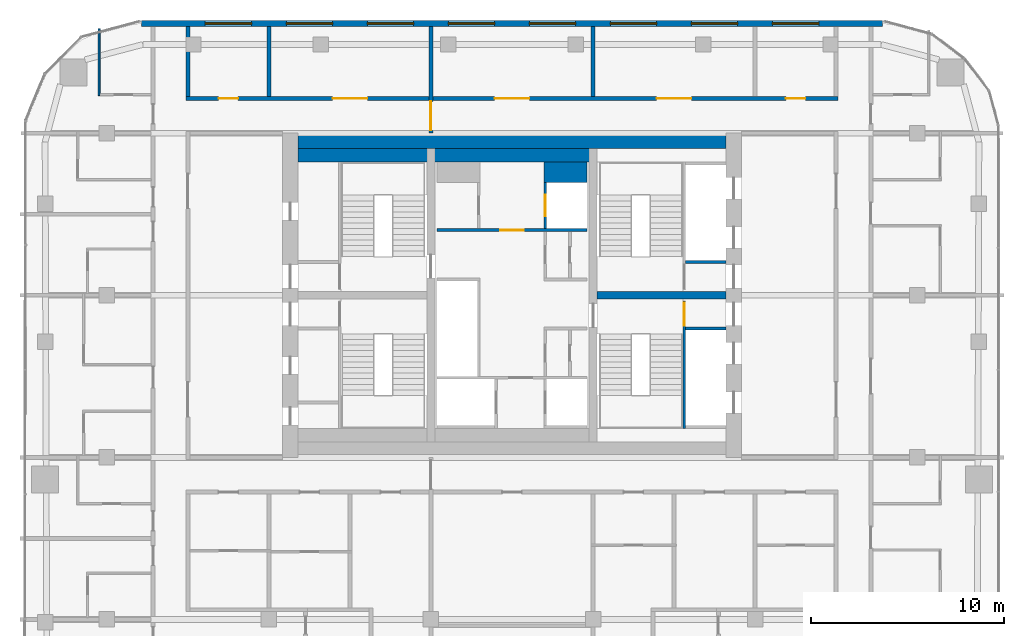
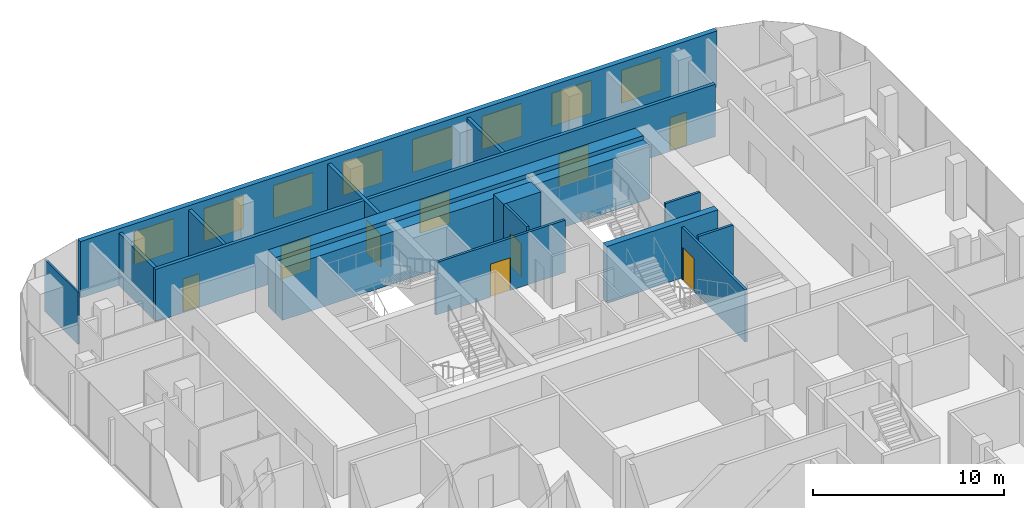
# One storey, part 19 of 22: 16 walls, 9 doors, 8 windows, 17 openings.
"""IFC4 building model written with IfcOpenShell, lengths in metres."""

from ifc_helpers import new_model, si_unit, direction, frame, frame_2d, origin, place, context, subcontext, project, spatial, rectangle, extrude, material, layer, layer_set, type_object, element, fill, save


model = new_model("IFC4")

# Units and contexts
model_context = context("Model", 3, precision=1e-05, world=origin(), true_north=direction((0.0, 1.0)))
body_context = subcontext(model_context, "Body", "Model", "MODEL_VIEW")
ifc_project = project(units=[si_unit("LENGTHUNIT", "METRE"), si_unit("AREAUNIT", "SQUARE_METRE"), si_unit("VOLUMEUNIT", "CUBIC_METRE"), si_unit("PLANEANGLEUNIT", "RADIAN"), si_unit("MASSUNIT", "GRAM", prefix="KILO")], contexts=[model_context])

# Site, building, storey
site_placement = place(None, origin())
site = spatial("IfcSite", under=ifc_project, at=site_placement, CompositionType="ELEMENT")
building_placement = place(site_placement, origin())
building = spatial("IfcBuilding", under=site, at=building_placement, Name="Marenta Gate Hotel Tower", CompositionType="ELEMENT")
storey_placement = place(building_placement, frame((0.0, 0.0, 223.699951171875)))
storey = spatial("IfcBuildingStorey", under=building, at=storey_placement, Name="L52", CompositionType="ELEMENT", Elevation=223.699951171875)

# Wall, openings, windows
ifc_material_1 = material(Name="Concrete C40 board-marked", Category="concrete")
ifc_layer_1 = layer(ifc_material_1, 0.300048828125)
ifc_layer_set_1 = layer_set([ifc_layer_1], Name="Concrete C40 board-marked")
wall_type_1 = type_object("IfcWallType", Name="Board-marked concrete wall 300 mm", PredefinedType="NOTDEFINED", material=ifc_layer_set_1)
wall_1_placement = place(storey_placement, frame((19.205810546875, 22.489990234375, 0.0), z_axis=(0.0, 0.0, 1.0), x_axis=(-1.0, 0.0, 0.0)))
wall_1 = element("IfcWall", 1, at=wall_1_placement, inside=storey, type_object=wall_type_1, Name="L52-CLD-N00", PredefinedType="NOTDEFINED", context=body_context, shape_type="SweptSolid", body=[
    extrude(rectangle(XDim=38.41162109375, YDim=0.300048828125, at=frame_2d((19.205810546875, 0.0))), origin(), (0.0, 0.0, 1.0), 3.60009765625),
])
opening_1_placement = place(wall_1_placement, frame((3.305908203125, 0.0, 0.89990234375)))
opening_1 = element("IfcOpeningElement", 2, at=opening_1_placement, cuts=wall_1, Name="Opening W1", PredefinedType="OPENING", context=body_context, shape_type="SweptSolid", body=[
    extrude(rectangle(XDim=2.39990234375, YDim=2.10009765625, at=frame_2d((1.199951171875, 1.050048828125))), frame((0.0, 0.14990234375, 0.0), z_axis=(0.0, -1.0, 0.0), x_axis=(1.0, 0.0, 0.0)), (0.0, 0.0, 1.0), 0.300048828125),
])
opening_2_placement = place(wall_1_placement, frame((7.505859375, 0.0, 0.89990234375)))
opening_2 = element("IfcOpeningElement", 3, at=opening_2_placement, cuts=wall_1, Name="Opening W1", PredefinedType="OPENING", context=body_context, shape_type="SweptSolid", body=[
    extrude(rectangle(XDim=2.39990234375, YDim=2.10009765625, at=frame_2d((1.199951171875, 1.050048828125))), frame((0.0, 0.14990234375, 0.0), z_axis=(0.0, -1.0, 0.0), x_axis=(1.0, 0.0, 0.0)), (0.0, 0.0, 1.0), 0.300048828125),
])
opening_3_placement = place(wall_1_placement, frame((11.705810546875, 0.0, 0.89990234375)))
opening_3 = element("IfcOpeningElement", 4, at=opening_3_placement, cuts=wall_1, Name="Opening W1", PredefinedType="OPENING", context=body_context, shape_type="SweptSolid", body=[
    extrude(rectangle(XDim=2.39990234375, YDim=2.10009765625, at=frame_2d((1.199951171875, 1.050048828125))), frame((0.0, 0.14990234375, 0.0), z_axis=(0.0, -1.0, 0.0), x_axis=(1.0, 0.0, 0.0)), (0.0, 0.0, 1.0), 0.300048828125),
])
opening_4_placement = place(wall_1_placement, frame((15.906005859375, 0.0, 0.89990234375)))
opening_4 = element("IfcOpeningElement", 5, at=opening_4_placement, cuts=wall_1, Name="Opening W1", PredefinedType="OPENING", context=body_context, shape_type="SweptSolid", body=[
    extrude(rectangle(XDim=2.39990234375, YDim=2.10009765625, at=frame_2d((1.199951171875, 1.050048828125))), frame((0.0, 0.14990234375, 0.0), z_axis=(0.0, -1.0, 0.0), x_axis=(1.0, 0.0, 0.0)), (0.0, 0.0, 1.0), 0.300048828125),
])
opening_5_placement = place(wall_1_placement, frame((20.10595703125, 0.0, 0.89990234375)))
opening_5 = element("IfcOpeningElement", 6, at=opening_5_placement, cuts=wall_1, Name="Opening W1", PredefinedType="OPENING", context=body_context, shape_type="SweptSolid", body=[
    extrude(rectangle(XDim=2.39990234375, YDim=2.10009765625, at=frame_2d((1.199951171875, 1.050048828125))), frame((0.0, 0.14990234375, 0.0), z_axis=(0.0, -1.0, 0.0), x_axis=(1.0, 0.0, 0.0)), (0.0, 0.0, 1.0), 0.300048828125),
])
opening_6_placement = place(wall_1_placement, frame((24.305908203125, 0.0, 0.89990234375)))
opening_6 = element("IfcOpeningElement", 7, at=opening_6_placement, cuts=wall_1, Name="Opening W1", PredefinedType="OPENING", context=body_context, shape_type="SweptSolid", body=[
    extrude(rectangle(XDim=2.39990234375, YDim=2.10009765625, at=frame_2d((1.199951171875, 1.050048828125))), frame((0.0, 0.14990234375, 0.0), z_axis=(0.0, -1.0, 0.0), x_axis=(1.0, 0.0, 0.0)), (0.0, 0.0, 1.0), 0.300048828125),
])
opening_7_placement = place(wall_1_placement, frame((28.505859375, 0.0, 0.89990234375)))
opening_7 = element("IfcOpeningElement", 8, at=opening_7_placement, cuts=wall_1, Name="Opening W1", PredefinedType="OPENING", context=body_context, shape_type="SweptSolid", body=[
    extrude(rectangle(XDim=2.39990234375, YDim=2.10009765625, at=frame_2d((1.199951171875, 1.050048828125))), frame((0.0, 0.14990234375, 0.0), z_axis=(0.0, -1.0, 0.0), x_axis=(1.0, 0.0, 0.0)), (0.0, 0.0, 1.0), 0.300048828125),
])
opening_8_placement = place(wall_1_placement, frame((32.705810546875, 0.0, 0.89990234375)))
opening_8 = element("IfcOpeningElement", 9, at=opening_8_placement, cuts=wall_1, Name="Opening W1", PredefinedType="OPENING", context=body_context, shape_type="SweptSolid", body=[
    extrude(rectangle(XDim=2.39990234375, YDim=2.10009765625, at=frame_2d((1.199951171875, 1.050048828125))), frame((0.0, 0.14990234375, 0.0), z_axis=(0.0, -1.0, 0.0), x_axis=(1.0, 0.0, 0.0)), (0.0, 0.0, 1.0), 0.300048828125),
])
ifc_material_2 = material(Name="Tinted insulated glass in bronze anodised frame", Category="glass")
window_type = type_object("IfcWindowType", Name="Window W1 2400x2100 bronze frame", PartitioningType="SINGLE_PANEL", PredefinedType="WINDOW", material=ifc_material_2)
window_1_placement = place(opening_1_placement, origin())
window_1 = element("IfcWindow", 10, at=window_1_placement, inside=storey, type_object=window_type, Name="Window W1", OverallHeight=2.10009765625, OverallWidth=2.39990234375, PartitioningType="SINGLE_PANEL", PredefinedType="WINDOW", context=body_context, shape_type="SweptSolid", body=[
    extrude(rectangle(XDim=2.39990234375, YDim=2.10009765625, at=frame_2d((1.199951171875, 1.050048828125))), frame((0.0, 0.030029296875, 0.0), z_axis=(0.0, -1.0, 0.0), x_axis=(1.0, 0.0, 0.0)), (0.0, 0.0, 1.0), 0.06005859375),
])
fill(opening_1, window_1)
window_2_placement = place(opening_2_placement, origin())
window_2 = element("IfcWindow", 11, at=window_2_placement, inside=storey, type_object=window_type, Name="Window W1", OverallHeight=2.10009765625, OverallWidth=2.39990234375, PartitioningType="SINGLE_PANEL", PredefinedType="WINDOW", context=body_context, shape_type="SweptSolid", body=[
    extrude(rectangle(XDim=2.39990234375, YDim=2.10009765625, at=frame_2d((1.199951171875, 1.050048828125))), frame((0.0, 0.030029296875, 0.0), z_axis=(0.0, -1.0, 0.0), x_axis=(1.0, 0.0, 0.0)), (0.0, 0.0, 1.0), 0.06005859375),
])
fill(opening_2, window_2)
window_3_placement = place(opening_3_placement, origin())
window_3 = element("IfcWindow", 12, at=window_3_placement, inside=storey, type_object=window_type, Name="Window W1", OverallHeight=2.10009765625, OverallWidth=2.39990234375, PartitioningType="SINGLE_PANEL", PredefinedType="WINDOW", context=body_context, shape_type="SweptSolid", body=[
    extrude(rectangle(XDim=2.39990234375, YDim=2.10009765625, at=frame_2d((1.199951171875, 1.050048828125))), frame((0.0, 0.030029296875, 0.0), z_axis=(0.0, -1.0, 0.0), x_axis=(1.0, 0.0, 0.0)), (0.0, 0.0, 1.0), 0.06005859375),
])
fill(opening_3, window_3)
window_4_placement = place(opening_4_placement, origin())
window_4 = element("IfcWindow", 13, at=window_4_placement, inside=storey, type_object=window_type, Name="Window W1", OverallHeight=2.10009765625, OverallWidth=2.39990234375, PartitioningType="SINGLE_PANEL", PredefinedType="WINDOW", context=body_context, shape_type="SweptSolid", body=[
    extrude(rectangle(XDim=2.39990234375, YDim=2.10009765625, at=frame_2d((1.199951171875, 1.050048828125))), frame((0.0, 0.030029296875, 0.0), z_axis=(0.0, -1.0, 0.0), x_axis=(1.0, 0.0, 0.0)), (0.0, 0.0, 1.0), 0.06005859375),
])
fill(opening_4, window_4)
window_5_placement = place(opening_5_placement, origin())
window_5 = element("IfcWindow", 14, at=window_5_placement, inside=storey, type_object=window_type, Name="Window W1", OverallHeight=2.10009765625, OverallWidth=2.39990234375, PartitioningType="SINGLE_PANEL", PredefinedType="WINDOW", context=body_context, shape_type="SweptSolid", body=[
    extrude(rectangle(XDim=2.39990234375, YDim=2.10009765625, at=frame_2d((1.199951171875, 1.050048828125))), frame((0.0, 0.030029296875, 0.0), z_axis=(0.0, -1.0, 0.0), x_axis=(1.0, 0.0, 0.0)), (0.0, 0.0, 1.0), 0.06005859375),
])
fill(opening_5, window_5)
window_6_placement = place(opening_6_placement, origin())
window_6 = element("IfcWindow", 15, at=window_6_placement, inside=storey, type_object=window_type, Name="Window W1", OverallHeight=2.10009765625, OverallWidth=2.39990234375, PartitioningType="SINGLE_PANEL", PredefinedType="WINDOW", context=body_context, shape_type="SweptSolid", body=[
    extrude(rectangle(XDim=2.39990234375, YDim=2.10009765625, at=frame_2d((1.199951171875, 1.050048828125))), frame((0.0, 0.030029296875, 0.0), z_axis=(0.0, -1.0, 0.0), x_axis=(1.0, 0.0, 0.0)), (0.0, 0.0, 1.0), 0.06005859375),
])
fill(opening_6, window_6)
window_7_placement = place(opening_7_placement, origin())
window_7 = element("IfcWindow", 16, at=window_7_placement, inside=storey, type_object=window_type, Name="Window W1", OverallHeight=2.10009765625, OverallWidth=2.39990234375, PartitioningType="SINGLE_PANEL", PredefinedType="WINDOW", context=body_context, shape_type="SweptSolid", body=[
    extrude(rectangle(XDim=2.39990234375, YDim=2.10009765625, at=frame_2d((1.199951171875, 1.050048828125))), frame((0.0, 0.030029296875, 0.0), z_axis=(0.0, -1.0, 0.0), x_axis=(1.0, 0.0, 0.0)), (0.0, 0.0, 1.0), 0.06005859375),
])
fill(opening_7, window_7)
window_8_placement = place(opening_8_placement, origin())
window_8 = element("IfcWindow", 17, at=window_8_placement, inside=storey, type_object=window_type, Name="Window W1", OverallHeight=2.10009765625, OverallWidth=2.39990234375, PartitioningType="SINGLE_PANEL", PredefinedType="WINDOW", context=body_context, shape_type="SweptSolid", body=[
    extrude(rectangle(XDim=2.39990234375, YDim=2.10009765625, at=frame_2d((1.199951171875, 1.050048828125))), frame((0.0, 0.030029296875, 0.0), z_axis=(0.0, -1.0, 0.0), x_axis=(1.0, 0.0, 0.0)), (0.0, 0.0, 1.0), 0.06005859375),
])
fill(opening_8, window_8)

# Wall, opening, door
ifc_material_3 = material(Name="Concrete blockwork", Category="masonry")
ifc_layer_2 = layer(ifc_material_3, 0.199951171875)
ifc_layer_set_2 = layer_set([ifc_layer_2], Name="Concrete blockwork")
wall_type_2 = type_object("IfcWallType", Name="Compartment wall 200 REI 180", PredefinedType="PARTITIONING", material=ifc_layer_set_2)
wall_2_placement = place(storey_placement, frame((-4.199951171875, 16.800048828125, 0.0), z_axis=(0.0, 0.0, 1.0), x_axis=(0.0, 1.0, 0.0)))
wall_2 = element("IfcWall", 18, at=wall_2_placement, inside=storey, type_object=wall_type_2, Name="L52-PTN-W083", PredefinedType="PARTITIONING", context=body_context, shape_type="SweptSolid", body=[
    extrude(rectangle(XDim=5.5400390625, YDim=0.199951171875, at=frame_2d((2.77001953125, 0.0))), origin(), (0.0, 0.0, 1.0), 3.340087890625),
])
opening_9_placement = place(wall_2_placement, frame((0.14990234375, 0.0, 0.0)))
opening_9 = element("IfcOpeningElement", 19, at=opening_9_placement, cuts=wall_2, Name="Opening G19-FD1", PredefinedType="OPENING", context=body_context, shape_type="SweptSolid", body=[
    extrude(rectangle(XDim=1.5, YDim=2.10009765625, at=frame_2d((0.75, 1.050048828125))), frame((0.0, 0.10009765625, 0.0), z_axis=(0.0, -1.0, 0.0), x_axis=(1.0, 0.0, 0.0)), (0.0, 0.0, 1.0), 0.199951171875),
])
ifc_material_4 = material(Name="Hollow steel door set", Category="steel")
door_type_1 = type_object("IfcDoorType", Name="Compartment fire door 1500x2100 EI 60", OperationType="DOUBLE_DOOR_DOUBLE_SWING", PredefinedType="DOOR", material=ifc_material_4)
door_1_placement = place(opening_9_placement, origin())
door_1 = element("IfcDoor", 20, at=door_1_placement, inside=storey, type_object=door_type_1, Name="L52-PD-FD01", OperationType="DOUBLE_DOOR_DOUBLE_SWING", OverallHeight=2.10009765625, OverallWidth=1.5, PredefinedType="DOOR", context=body_context, shape_type="SweptSolid", body=[
    extrude(rectangle(XDim=1.5, YDim=2.10009765625, at=frame_2d((0.75, 1.050048828125))), frame((0.0, 0.02490234375, 0.0), z_axis=(0.0, -1.0, 0.0), x_axis=(1.0, 0.0, 0.0)), (0.0, 0.0, 1.0), 0.050048828125),
])
fill(opening_9, door_1)

# Wall
ifc_material_5 = material(Name="Concrete C40", Category="concrete")
ifc_layer_3 = layer(ifc_material_5, 0.699951171875)
ifc_layer_set_3 = layer_set([ifc_layer_3], Name="Concrete C40")
wall_type_3 = type_object("IfcWallType", Name="Core lining wall 700 REI 180", PredefinedType="PARTITIONING", material=ifc_layer_set_3)
wall_3_placement = place(storey_placement, frame((-11.10009765625, 15.64990234375, 0.0), z_axis=(0.0, 0.0, 1.0), x_axis=(1.0, 0.0, 0.0)))
element("IfcWall", 21, at=wall_3_placement, inside=storey, type_object=wall_type_3, Name="L52-CP-LN-N", PredefinedType="PARTITIONING", context=body_context, shape_type="SweptSolid", body=[
    extrude(rectangle(XDim=22.2001953125, YDim=0.699951171875, at=frame_2d((11.10009765625, 0.0))), origin(), (0.0, 0.0, 1.0), 3.340087890625),
])

# Wall, opening, door
ifc_material_6 = material(Name="Concrete blockwork", Category="masonry")
ifc_layer_4 = layer(ifc_material_6, 0.14990234375)
ifc_layer_set_4 = layer_set([ifc_layer_4], Name="Concrete blockwork")
wall_type_4 = type_object("IfcWallType", Name="Core lobby partition 150 REI 180", PredefinedType="PARTITIONING", material=ifc_layer_set_4)
wall_4_placement = place(storey_placement, frame((-3.89990234375, 11.77490234375, 0.0), z_axis=(0.0, 0.0, 1.0), x_axis=(1.0, 0.0, 0.0)))
wall_4 = element("IfcWall", 22, at=wall_4_placement, inside=storey, type_object=wall_type_4, Name="L52-CP-CW-N", PredefinedType="PARTITIONING", context=body_context, shape_type="SweptSolid", body=[
    extrude(rectangle(XDim=7.7998046875, YDim=0.14990234375, at=frame_2d((3.89990234375, 0.0))), origin(), (0.0, 0.0, 1.0), 3.340087890625),
])
opening_10_placement = place(wall_4_placement, frame((3.300048828125, 0.0, 0.0)))
opening_10 = element("IfcOpeningElement", 23, at=opening_10_placement, cuts=wall_4, Name="Opening FD-FFN", PredefinedType="OPENING", context=body_context, shape_type="SweptSolid", body=[
    extrude(rectangle(XDim=1.199951171875, YDim=2.10009765625, at=frame_2d((0.60009765625, 1.050048828125))), frame((0.0, 0.074951171875, 0.0), z_axis=(0.0, -1.0, 0.0), x_axis=(1.0, 0.0, 0.0)), (0.0, 0.0, 1.0), 0.14990234375),
])
ifc_material_7 = material(Name="Steel", Category="steel")
door_type_2 = type_object("IfcDoorType", Name="Core lobby door 1200x2100 FD60", OperationType="SINGLE_SWING_LEFT", PredefinedType="DOOR", material=ifc_material_7)
door_2_placement = place(opening_10_placement, origin())
door_2 = element("IfcDoor", 24, at=door_2_placement, inside=storey, type_object=door_type_2, Name="FD-FFN", OperationType="SINGLE_SWING_LEFT", OverallHeight=2.10009765625, OverallWidth=1.199951171875, PredefinedType="DOOR", context=body_context, shape_type="SweptSolid", body=[
    extrude(rectangle(XDim=1.199951171875, YDim=2.10009765625, at=frame_2d((0.60009765625, 1.050048828125))), frame((0.0, 0.02490234375, 0.0), z_axis=(0.0, -1.0, 0.0), x_axis=(1.0, 0.0, 0.0)), (0.0, 0.0, 1.0), 0.050048828125),
])
fill(opening_10, door_2)

# Walls
ifc_material_8 = material(Name="Concrete C40", Category="concrete")
ifc_layer_5 = layer(ifc_material_8, 1.050048828125)
ifc_layer_set_5 = layer_set([ifc_layer_5], Name="Concrete C40")
wall_type_5 = type_object("IfcWallType", Name="Core shaft wall 1050 REI 180", PredefinedType="SHEAR", material=ifc_layer_set_5)
wall_5_placement = place(storey_placement, frame((1.64990234375, 14.77490234375, 0.0), z_axis=(0.0, 0.0, 1.0), x_axis=(1.0, 0.0, 0.0)))
element("IfcWall", 25, at=wall_5_placement, inside=storey, type_object=wall_type_5, Name="L52-SHF-CE-N-top", PredefinedType="SHEAR", context=body_context, shape_type="SweptSolid", body=[
    extrude(rectangle(XDim=2.25, YDim=1.050048828125, at=frame_2d((1.125, 0.0))), origin(), (0.0, 0.0, 1.0), 3.60009765625),
])
ifc_material_9 = material(Name="Concrete C40", Category="concrete")
ifc_layer_6 = layer(ifc_material_9, 0.14990234375)
ifc_layer_set_6 = layer_set([ifc_layer_6], Name="Concrete C40")
wall_type_6 = type_object("IfcWallType", Name="Core shaft wall 150 REI 180", PredefinedType="SHEAR", material=ifc_layer_set_6)
for number, where, z_axis, x_axis, name in (
    (26, (9.0, 6.675048828125, 0.0), (0.0, 0.0, 1.0), (1.0, 0.0, 0.0), "L52-SHF-SW-ES-2"),
    (27, (9.0, 10.125, 0.0), (0.0, 0.0, 1.0), (1.0, 0.0, 0.0), "L52-SHF-SW-EN-2"),
):
    element("IfcWall", number, at=place(storey_placement, frame(where, z_axis=z_axis, x_axis=x_axis)), inside=storey, type_object=wall_type_6, Name=name, PredefinedType="SHEAR", context=body_context, shape_type="SweptSolid", body=[
        extrude(rectangle(XDim=2.10009765625, YDim=0.14990234375, at=frame_2d((1.050048828125, 0.0))), origin(), (0.0, 0.0, 1.0), 3.60009765625),
    ])

# Wall, opening, door
wall_6_placement = place(storey_placement, frame((1.72509765625, 11.85009765625, 0.0), z_axis=(0.0, 0.0, 1.0), x_axis=(0.0, 1.0, 0.0)))
wall_6 = element("IfcWall", 28, at=wall_6_placement, inside=storey, type_object=wall_type_6, Name="L52-SHF-CE-N-front2", PredefinedType="SHEAR", context=body_context, shape_type="SweptSolid", body=[
    extrude(rectangle(XDim=2.39990234375, YDim=0.14990234375, at=frame_2d((1.199951171875, 0.0))), origin(), (0.0, 0.0, 1.0), 3.60009765625),
])
opening_11_placement = place(wall_6_placement, frame((0.64990234375, 0.0, 0.0)))
opening_11 = element("IfcOpeningElement", 29, at=opening_11_placement, cuts=wall_6, Name="Opening LD-FF2", PredefinedType="OPENING", context=body_context, shape_type="SweptSolid", body=[
    extrude(rectangle(XDim=1.10009765625, YDim=2.10009765625, at=frame_2d((0.550048828125, 1.050048828125))), frame((0.0, 0.074951171875, 0.0), z_axis=(0.0, -1.0, 0.0), x_axis=(1.0, 0.0, 0.0)), (0.0, 0.0, 1.0), 0.14990234375),
])
ifc_material_10 = material(Name="Steel", Category="steel")
door_type_3 = type_object("IfcDoorType", Name="Core lift landing door 1100x2100 E 60", OperationType="SLIDING_TO_LEFT", PredefinedType="DOOR", material=ifc_material_10)
door_3_placement = place(opening_11_placement, origin())
door_3 = element("IfcDoor", 30, at=door_3_placement, inside=storey, type_object=door_type_3, Name="LD-FF2", OperationType="SLIDING_TO_LEFT", OverallHeight=2.10009765625, OverallWidth=1.10009765625, PredefinedType="DOOR", context=body_context, shape_type="SweptSolid", body=[
    extrude(rectangle(XDim=1.10009765625, YDim=2.10009765625, at=frame_2d((0.550048828125, 1.050048828125))), frame((0.0, 0.02490234375, 0.0), z_axis=(0.0, -1.0, 0.0), x_axis=(1.0, 0.0, 0.0)), (0.0, 0.0, 1.0), 0.050048828125),
])
fill(opening_11, door_3)

ifc_material_11 = material(Name="Concrete C40", Category="concrete")
ifc_layer_7 = layer(ifc_material_11, 0.14990234375)
ifc_layer_set_7 = layer_set([ifc_layer_7], Name="Concrete C40")
wall_type_7 = type_object("IfcWallType", Name="Core stair enclosure wall 150 REI 180", PredefinedType="SHEAR", material=ifc_layer_set_7)
wall_7_placement = place(storey_placement, frame((8.925048828125, 1.5, 0.0), z_axis=(0.0, 0.0, 1.0), x_axis=(0.0, 1.0, 0.0)))
wall_7 = element("IfcWall", 31, at=wall_7_placement, inside=storey, type_object=wall_type_7, Name="L52-SHF-SW-ES-3", PredefinedType="SHEAR", context=body_context, shape_type="SweptSolid", body=[
    extrude(rectangle(XDim=6.60009765625, YDim=0.14990234375, at=frame_2d((3.300048828125, 0.0))), origin(), (0.0, 0.0, 1.0), 3.340087890625),
])
opening_12_placement = place(wall_7_placement, frame((5.324951171875, 0.0, 0.0)))
opening_12 = element("IfcOpeningElement", 32, at=opening_12_placement, cuts=wall_7, Name="Opening SD-ES", PredefinedType="OPENING", context=body_context, shape_type="SweptSolid", body=[
    extrude(rectangle(XDim=1.199951171875, YDim=2.10009765625, at=frame_2d((0.60009765625, 1.050048828125))), frame((0.0, 0.074951171875, 0.0), z_axis=(0.0, -1.0, 0.0), x_axis=(1.0, 0.0, 0.0)), (0.0, 0.0, 1.0), 0.14990234375),
])
ifc_material_12 = material(Name="Steel", Category="steel")
door_type_4 = type_object("IfcDoorType", Name="Core stair door 1200x2100 FD60", OperationType="SINGLE_SWING_LEFT", PredefinedType="DOOR", material=ifc_material_12)
door_4_placement = place(opening_12_placement, origin())
door_4 = element("IfcDoor", 33, at=door_4_placement, inside=storey, type_object=door_type_4, Name="SD-ES", OperationType="SINGLE_SWING_LEFT", OverallHeight=2.10009765625, OverallWidth=1.199951171875, PredefinedType="DOOR", context=body_context, shape_type="SweptSolid", body=[
    extrude(rectangle(XDim=1.199951171875, YDim=2.10009765625, at=frame_2d((0.60009765625, 1.050048828125))), frame((0.0, 0.02490234375, 0.0), z_axis=(0.0, -1.0, 0.0), x_axis=(1.0, 0.0, 0.0)), (0.0, 0.0, 1.0), 0.050048828125),
])
fill(opening_12, door_4)

# Walls
ifc_material_13 = material(Name="Concrete C60", Category="concrete")
ifc_layer_8 = layer(ifc_material_13, 0.800048828125)
ifc_layer_set_8 = layer_set([ifc_layer_8], Name="Concrete C60")
wall_type_8 = type_object("IfcWallType", Name="Core wall 800 C60", PredefinedType="SHEAR", material=ifc_layer_set_8)
wall_8_placement = place(storey_placement, frame((-11.10009765625, 16.39990234375, 0.0), z_axis=(0.0, 0.0, 1.0), x_axis=(1.0, 0.0, 0.0)))
element("IfcWall", 34, at=wall_8_placement, inside=storey, type_object=wall_type_8, Name="L52-CORE-N", PredefinedType="SHEAR", context=body_context, shape_type="SweptSolid", body=[
    extrude(rectangle(XDim=22.2001953125, YDim=0.800048828125, at=frame_2d((11.10009765625, 0.0))), origin(), (0.0, 0.0, 1.0), 3.60009765625),
])
ifc_material_14 = material(Name="Concrete C60", Category="concrete")
ifc_layer_9 = layer(ifc_material_14, 0.39990234375)
ifc_layer_set_9 = layer_set([ifc_layer_9], Name="Concrete C60")
wall_type_9 = type_object("IfcWallType", Name="Core web 400 C60", PredefinedType="SHEAR", material=ifc_layer_set_9)
wall_9_placement = place(storey_placement, frame((4.39990234375, 8.39990234375, 0.0), z_axis=(0.0, 0.0, 1.0), x_axis=(1.0, 0.0, 0.0)))
element("IfcWall", 35, at=wall_9_placement, inside=storey, type_object=wall_type_9, Name="L52-CORE-W4", PredefinedType="SHEAR", context=body_context, shape_type="SweptSolid", body=[
    extrude(rectangle(XDim=6.7001953125, YDim=0.39990234375, at=frame_2d((3.35009765625, 0.0))), origin(), (0.0, 0.0, 1.0), 3.60009765625),
])
ifc_material_15 = material(Name="Gypsum board on steel stud", Category="steel")
ifc_layer_10 = layer(ifc_material_15, 0.199951171875)
ifc_layer_set_10 = layer_set([ifc_layer_10], Name="Gypsum board on steel stud")
wall_type_10 = type_object("IfcWallType", Name="Room corridor wall 200 EI 60", PredefinedType="PARTITIONING", material=ifc_layer_set_10)
wall_10_placement = place(storey_placement, frame((-16.800048828125, 18.699951171875, 0.0), z_axis=(0.0, 0.0, 1.0), x_axis=(0.0, 1.0, 0.0)))
element("IfcWall", 36, at=wall_10_placement, inside=storey, type_object=wall_type_10, Name="L52-PTN-W107", PredefinedType="PARTITIONING", context=body_context, shape_type="SweptSolid", body=[
    extrude(rectangle(XDim=3.64013671875, YDim=0.199951171875, at=frame_2d((1.820068359375, 0.0))), origin(), (0.0, 0.0, 1.0), 3.340087890625),
])

# Wall, openings, doors
wall_11_placement = place(storey_placement, frame((-16.89990234375, 18.60009765625, 0.0), z_axis=(0.0, 0.0, 1.0), x_axis=(1.0, 0.0, 0.0)))
wall_11 = element("IfcWall", 37, at=wall_11_placement, inside=storey, type_object=wall_type_10, Name="L52-PTN-W111", PredefinedType="PARTITIONING", context=body_context, shape_type="SweptSolid", body=[
    extrude(rectangle(XDim=33.7998046875, YDim=0.199951171875, at=frame_2d((16.89990234375, 0.0))), origin(), (0.0, 0.0, 1.0), 3.340087890625),
])
opening_13_placement = place(wall_11_placement, frame((1.699951171875, 0.0, 0.0)))
opening_13 = element("IfcOpeningElement", 38, at=opening_13_placement, cuts=wall_11, Name="Opening G19-31", PredefinedType="OPENING", context=body_context, shape_type="SweptSolid", body=[
    extrude(rectangle(XDim=1.0, YDim=2.10009765625, at=frame_2d((0.5, 1.050048828125))), frame((0.0, 0.10009765625, 0.0), z_axis=(0.0, -1.0, 0.0), x_axis=(1.0, 0.0, 0.0)), (0.0, 0.0, 1.0), 0.199951171875),
])
opening_14_placement = place(wall_11_placement, frame((7.60009765625, 0.0, 0.0)))
opening_14 = element("IfcOpeningElement", 39, at=opening_14_placement, cuts=wall_11, Name="Opening G19-32", PredefinedType="OPENING", context=body_context, shape_type="SweptSolid", body=[
    extrude(rectangle(XDim=1.800048828125, YDim=2.10009765625, at=frame_2d((0.89990234375, 1.050048828125))), frame((0.0, 0.10009765625, 0.0), z_axis=(0.0, -1.0, 0.0), x_axis=(1.0, 0.0, 0.0)), (0.0, 0.0, 1.0), 0.199951171875),
])
opening_15_placement = place(wall_11_placement, frame((16.0, 0.0, 0.0)))
opening_15 = element("IfcOpeningElement", 40, at=opening_15_placement, cuts=wall_11, Name="Opening G19-33", PredefinedType="OPENING", context=body_context, shape_type="SweptSolid", body=[
    extrude(rectangle(XDim=1.800048828125, YDim=2.10009765625, at=frame_2d((0.89990234375, 1.050048828125))), frame((0.0, 0.10009765625, 0.0), z_axis=(0.0, -1.0, 0.0), x_axis=(1.0, 0.0, 0.0)), (0.0, 0.0, 1.0), 0.199951171875),
])
opening_16_placement = place(wall_11_placement, frame((24.39990234375, 0.0, 0.0)))
opening_16 = element("IfcOpeningElement", 41, at=opening_16_placement, cuts=wall_11, Name="Opening G19-34", PredefinedType="OPENING", context=body_context, shape_type="SweptSolid", body=[
    extrude(rectangle(XDim=1.800048828125, YDim=2.10009765625, at=frame_2d((0.89990234375, 1.050048828125))), frame((0.0, 0.10009765625, 0.0), z_axis=(0.0, -1.0, 0.0), x_axis=(1.0, 0.0, 0.0)), (0.0, 0.0, 1.0), 0.199951171875),
])
opening_17_placement = place(wall_11_placement, frame((31.10009765625, 0.0, 0.0)))
opening_17 = element("IfcOpeningElement", 42, at=opening_17_placement, cuts=wall_11, Name="Opening G19-35", PredefinedType="OPENING", context=body_context, shape_type="SweptSolid", body=[
    extrude(rectangle(XDim=1.0, YDim=2.10009765625, at=frame_2d((0.5, 1.050048828125))), frame((0.0, 0.10009765625, 0.0), z_axis=(0.0, -1.0, 0.0), x_axis=(1.0, 0.0, 0.0)), (0.0, 0.0, 1.0), 0.199951171875),
])
ifc_material_16 = material(Name="Timber door leaf", Category="wood")
door_type_5 = type_object("IfcDoorType", Name="Room amenity door 1000x2100 EI 30", OperationType="NOTDEFINED", PredefinedType="DOOR", material=ifc_material_16)
door_5_placement = place(opening_13_placement, origin())
door_5 = element("IfcDoor", 43, at=door_5_placement, inside=storey, type_object=door_type_5, Name="L52-PD-D031", OperationType="SINGLE_SWING_LEFT", OverallHeight=2.10009765625, OverallWidth=1.0, PredefinedType="DOOR", context=body_context, shape_type="SweptSolid", body=[
    extrude(rectangle(XDim=1.0, YDim=2.10009765625, at=frame_2d((0.5, 1.050048828125))), frame((0.0, 0.02490234375, 0.0), z_axis=(0.0, -1.0, 0.0), x_axis=(1.0, 0.0, 0.0)), (0.0, 0.0, 1.0), 0.050048828125),
])
fill(opening_13, door_5)
door_6_placement = place(opening_17_placement, origin())
door_6 = element("IfcDoor", 44, at=door_6_placement, inside=storey, type_object=door_type_5, Name="L52-PD-D035", OperationType="SINGLE_SWING_LEFT", OverallHeight=2.10009765625, OverallWidth=1.0, PredefinedType="DOOR", context=body_context, shape_type="SweptSolid", body=[
    extrude(rectangle(XDim=1.0, YDim=2.10009765625, at=frame_2d((0.5, 1.050048828125))), frame((0.0, 0.02490234375, 0.0), z_axis=(0.0, -1.0, 0.0), x_axis=(1.0, 0.0, 0.0)), (0.0, 0.0, 1.0), 0.050048828125),
])
fill(opening_17, door_6)
ifc_material_17 = material(Name="Timber door leaf", Category="wood")
door_type_6 = type_object("IfcDoorType", Name="Room amenity door 1800x2100 EI 30", OperationType="DOUBLE_DOOR_SINGLE_SWING", PredefinedType="DOOR", material=ifc_material_17)
door_7_placement = place(opening_14_placement, origin())
door_7 = element("IfcDoor", 45, at=door_7_placement, inside=storey, type_object=door_type_6, Name="L52-PD-D032", OperationType="DOUBLE_DOOR_SINGLE_SWING", OverallHeight=2.10009765625, OverallWidth=1.800048828125, PredefinedType="DOOR", context=body_context, shape_type="SweptSolid", body=[
    extrude(rectangle(XDim=1.800048828125, YDim=2.10009765625, at=frame_2d((0.89990234375, 1.050048828125))), frame((0.0, 0.02490234375, 0.0), z_axis=(0.0, -1.0, 0.0), x_axis=(1.0, 0.0, 0.0)), (0.0, 0.0, 1.0), 0.050048828125),
])
fill(opening_14, door_7)
door_8_placement = place(opening_15_placement, origin())
door_8 = element("IfcDoor", 46, at=door_8_placement, inside=storey, type_object=door_type_6, Name="L52-PD-D033", OperationType="DOUBLE_DOOR_SINGLE_SWING", OverallHeight=2.10009765625, OverallWidth=1.800048828125, PredefinedType="DOOR", context=body_context, shape_type="SweptSolid", body=[
    extrude(rectangle(XDim=1.800048828125, YDim=2.10009765625, at=frame_2d((0.89990234375, 1.050048828125))), frame((0.0, 0.02490234375, 0.0), z_axis=(0.0, -1.0, 0.0), x_axis=(1.0, 0.0, 0.0)), (0.0, 0.0, 1.0), 0.050048828125),
])
fill(opening_15, door_8)
door_9_placement = place(opening_16_placement, origin())
door_9 = element("IfcDoor", 47, at=door_9_placement, inside=storey, type_object=door_type_6, Name="L52-PD-D034", OperationType="DOUBLE_DOOR_SINGLE_SWING", OverallHeight=2.10009765625, OverallWidth=1.800048828125, PredefinedType="DOOR", context=body_context, shape_type="SweptSolid", body=[
    extrude(rectangle(XDim=1.800048828125, YDim=2.10009765625, at=frame_2d((0.89990234375, 1.050048828125))), frame((0.0, 0.02490234375, 0.0), z_axis=(0.0, -1.0, 0.0), x_axis=(1.0, 0.0, 0.0)), (0.0, 0.0, 1.0), 0.050048828125),
])
fill(opening_16, door_9)

# Walls
ifc_material_18 = material(Name="Gypsum board on steel stud", Category="steel")
ifc_layer_11 = layer(ifc_material_18, 0.10009765625)
ifc_layer_set_11 = layer_set([ifc_layer_11], Name="Gypsum board on steel stud")
wall_type_11 = type_object("IfcWallType", Name="Room partition 100", PredefinedType="PARTITIONING", material=ifc_layer_set_11)
wall_12_placement = place(storey_placement, frame((-21.39990234375, 18.75, 0.0), z_axis=(0.0, 0.0, 1.0), x_axis=(0.0, 1.0, 0.0)))
element("IfcWall", 48, at=wall_12_placement, inside=storey, type_object=wall_type_11, Name="L52-PTN-W115", PredefinedType="PARTITIONING", context=body_context, shape_type="SweptSolid", body=[
    extrude(rectangle(XDim=3.47802734375, YDim=0.10009765625, at=frame_2d((1.739013671875, 0.0))), origin(), (0.0, 0.0, 1.0), 3.340087890625),
])
ifc_material_19 = material(Name="Gypsum board on steel stud", Category="steel")
ifc_layer_12 = layer(ifc_material_19, 0.199951171875)
ifc_layer_set_12 = layer_set([ifc_layer_12], Name="Gypsum board on steel stud")
wall_type_12 = type_object("IfcWallType", Name="Room party wall 200 EI 60", PredefinedType="PARTITIONING", material=ifc_layer_set_12)
for number, where, z_axis, x_axis, name in (
    (49, (4.199951171875, 18.699951171875, 0.0), (0.0, 0.0, 1.0), (0.0, 1.0, 0.0), "L52-PTN-W069"),
    (50, (-12.60009765625, 18.699951171875, 0.0), (0.0, 0.0, 1.0), (0.0, 1.0, 0.0), "L52-PTN-W098"),
):
    element("IfcWall", number, at=place(storey_placement, frame(where, z_axis=z_axis, x_axis=x_axis)), inside=storey, type_object=wall_type_12, Name=name, PredefinedType="PARTITIONING", context=body_context, shape_type="SweptSolid", body=[
        extrude(rectangle(XDim=3.64013671875, YDim=0.199951171875, at=frame_2d((1.820068359375, 0.0))), origin(), (0.0, 0.0, 1.0), 3.340087890625),
    ])

save(model, "model.ifc")
